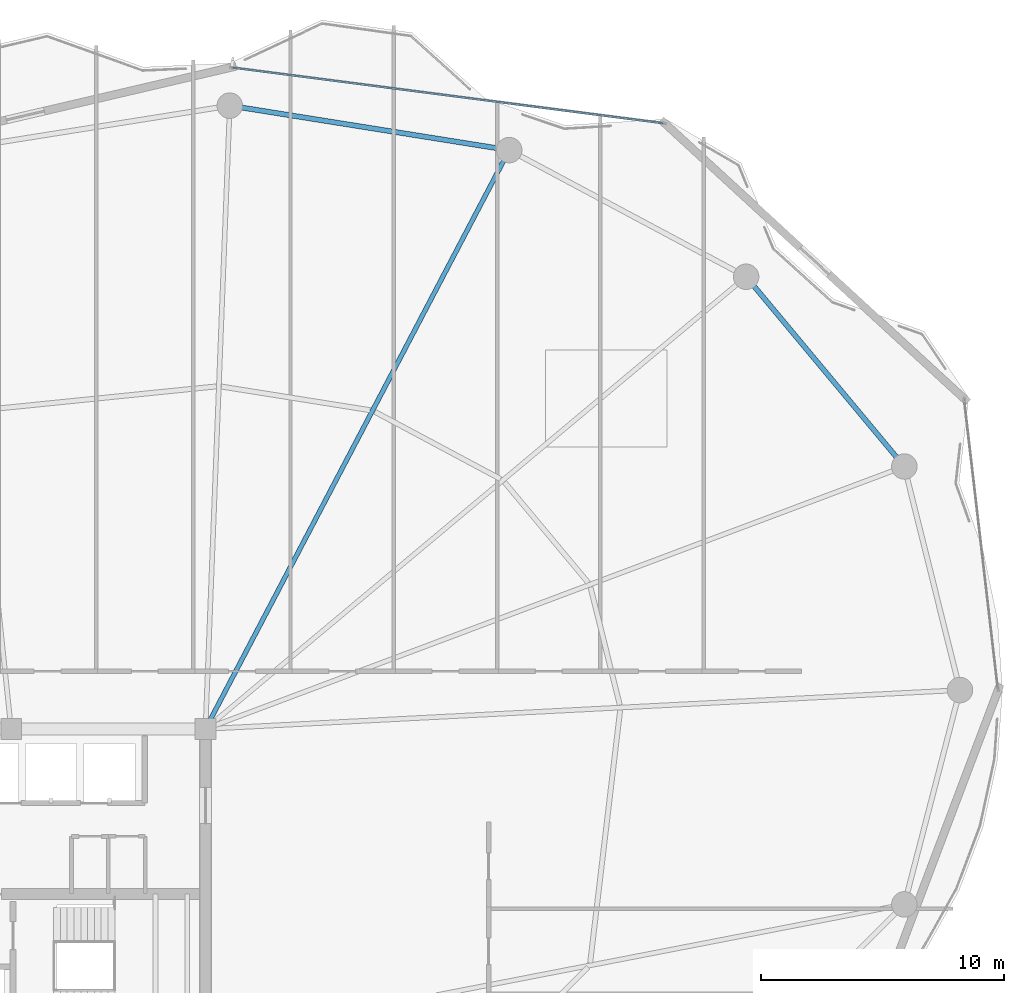
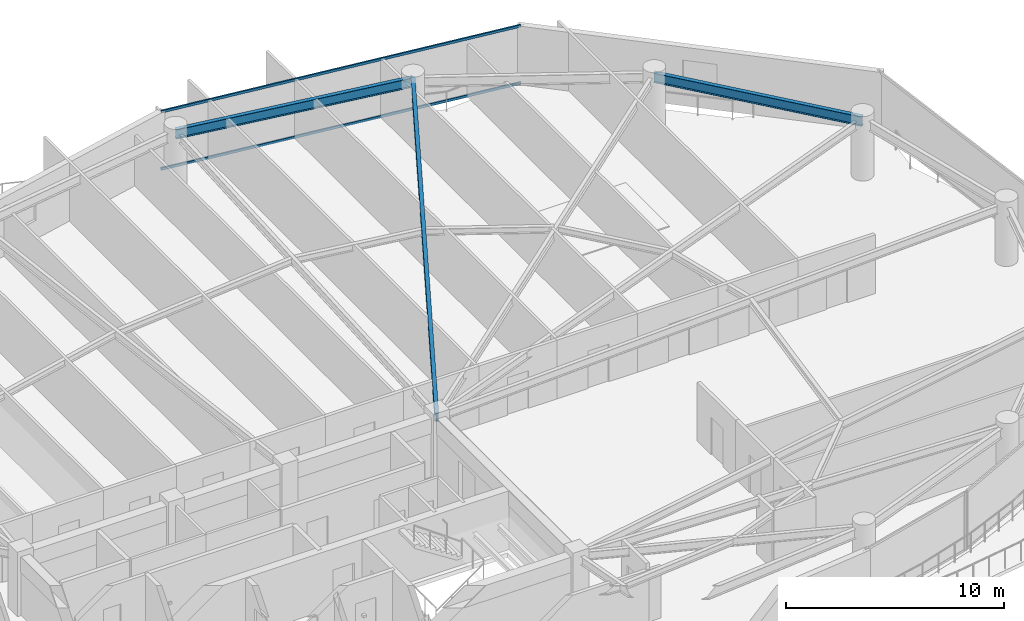
# One storey, part 21 of 31: 3 beams, 2 members, 1 element without a shape of its own.
"""IFC4 building model written with IfcOpenShell, lengths in metres."""

from ifc_helpers import new_model, si_unit, direction, frame, origin, origin_2d, place, context, subcontext, project, spatial, hollow_rectangle, i_section, extrude, material, layer, layer_set, material_profile, profile_set, type_object, element, aggregate, save


model = new_model("IFC4")

# Units and contexts
model_context = context("Model", 3, precision=1e-05, world=origin(), true_north=direction((0.0, 1.0)))
body_context = subcontext(model_context, "Body", "Model", "MODEL_VIEW")
ifc_project = project(units=[si_unit("LENGTHUNIT", "METRE"), si_unit("AREAUNIT", "SQUARE_METRE"), si_unit("VOLUMEUNIT", "CUBIC_METRE"), si_unit("PLANEANGLEUNIT", "RADIAN"), si_unit("MASSUNIT", "GRAM", prefix="KILO")], contexts=[model_context])

# Site, building, storey
site_placement = place(None, origin())
site = spatial("IfcSite", under=ifc_project, at=site_placement, CompositionType="ELEMENT")
building_placement = place(site_placement, origin())
building = spatial("IfcBuilding", under=site, at=building_placement, Name="Kazevale Care Tower and Concert Hall", CompositionType="ELEMENT")
storey_placement = place(building_placement, frame((0.0, 0.0, 187.199951171875)))
storey = spatial("IfcBuildingStorey", under=building, at=storey_placement, Name="L49", CompositionType="ELEMENT", Elevation=187.199951171875)

# Curtain wall, members
ifc_material_1 = material(Name="Aluminium 6063-T6 and Low-E Glass", Category="aluminium")
ifc_layer = layer(ifc_material_1, 0.179931640625)
ifc_layer_set = layer_set([ifc_layer], Name="Aluminium 6063-T6 and Low-E Glass")
curtain_wall_type = type_object("IfcCurtainWallType", Name="Waist & Upper Residential Curtain Wall CW-4", PredefinedType="NOTDEFINED", material=ifc_layer_set)
curtain_wall_placement = place(storey_placement, origin())
curtain_wall = element("IfcCurtainWall", 1, at=curtain_wall_placement, inside=storey, type_object=curtain_wall_type, Name="cw:L49:f16", PredefinedType="NOTDEFINED")
ifc_material_2 = material(Name="Aluminium 6063-T6", Category="aluminium")
ifc_material_profile_1 = material_profile(ifc_material_2, hollow_rectangle(XDim=0.080078125, YDim=0.139892578125, WallThickness=0.00390625, at=origin_2d()), Name="ALU80x140x4")
ifc_profile_set_1 = profile_set([ifc_material_profile_1], Name="Aluminium 6063-T6")
member_type = type_object("IfcMemberType", Name="CW-4 Transom ALU80x140x4", PredefinedType="USERDEFINED", material=ifc_profile_set_1)
member_1_placement = place(storey_placement, frame((45.123291015625, 63.61181640625, 0.0400390625), z_axis=(0.991760953967, -0.128102342625, 0.0), x_axis=(0.128102342625, 0.991760953967, 0.0)))
member_1 = element("IfcMember", 2, at=member_1_placement, type_object=member_type, Name="CW-4 transom 1.1", ObjectType="TRANSOM", PredefinedType="USERDEFINED", context=body_context, shape_type="SweptSolid", body=[
    extrude(hollow_rectangle(XDim=0.080078125, YDim=0.139892578125, WallThickness=0.00390625, at=origin_2d()), origin(), (0.0, 0.0, 1.0), 17.857666015625),
])
member_2_placement = place(storey_placement, frame((45.123291015625, 63.61181640625, 3.239990234375), z_axis=(0.991760953967, -0.128102342625, 0.0), x_axis=(0.128102342625, 0.991760953967, 0.0)))
member_2 = element("IfcMember", 3, at=member_2_placement, type_object=member_type, Name="CW-4 transom 1.2", ObjectType="TRANSOM", PredefinedType="USERDEFINED", context=body_context, shape_type="SweptSolid", body=[
    extrude(hollow_rectangle(XDim=0.080078125, YDim=0.139892578125, WallThickness=0.00390625, at=origin_2d()), origin(), (0.0, 0.0, 1.0), 17.857666015625),
])
aggregate(curtain_wall, [member_1, member_2])

# Beams
ifc_material_3 = material(Name="Steel ASTM A572 Gr 50", Category="steel")
ifc_material_profile_2 = material_profile(ifc_material_3, i_section(OverallWidth=0.19091796875, OverallDepth=0.4599609375, WebThickness=0.010009765625, FlangeThickness=0.01611328125, at=origin_2d()), Name="W460x82")
ifc_profile_set_2 = profile_set([ifc_material_profile_2], Name="Steel ASTM A572 Gr 50")
beam_type_1 = type_object("IfcBeamType", Name="Radial Floor Beam W460x82", PredefinedType="BEAM", material=ifc_profile_set_2)
beam_1_placement = place(storey_placement, frame((44.0, 36.39990234375, 3.050048828125), z_axis=(0.464672566396, 0.885482583702, 0.0), x_axis=(-0.885482583702, 0.464672566396, 0.0)))
element("IfcBeam", 4, at=beam_1_placement, inside=storey, type_object=beam_type_1, Name="beam:L49:rad:04", PredefinedType="BEAM", context=body_context, shape_type="SweptSolid", body=[
    extrude(i_section(OverallWidth=0.19091796875, OverallDepth=0.4599609375, WebThickness=0.010009765625, FlangeThickness=0.01611328125, at=origin_2d()), origin(), (0.0, 0.0, 1.0), 26.900634765625),
])
ifc_material_profile_3 = material_profile(ifc_material_3, i_section(OverallWidth=0.208984375, OverallDepth=0.532958984375, WebThickness=0.01025390625, FlangeThickness=0.015625, at=origin_2d()), Name="W530x92")
ifc_profile_set_3 = profile_set([ifc_material_profile_3], Name="Steel ASTM A572 Gr 50")
beam_type_2 = type_object("IfcBeamType", Name="Upper Ring Beam W530x92", PredefinedType="BEAM", material=ifc_profile_set_3)
beam_2_placement = place(storey_placement, frame((72.760009765625, 47.199951171875, 3.013427734375), z_axis=(-0.640278868102, 0.768142546056, 0.0), x_axis=(-0.768142546056, -0.640278868102, 0.0)))
element("IfcBeam", 5, at=beam_2_placement, inside=storey, type_object=beam_type_2, Name="beam:L49:ring:02", PredefinedType="BEAM", context=body_context, shape_type="SweptSolid", body=[
    extrude(i_section(OverallWidth=0.208984375, OverallDepth=0.532958984375, WebThickness=0.01025390625, FlangeThickness=0.015625, at=origin_2d()), origin(), (0.0, 0.0, 1.0), 10.16748046875),
])
beam_3_placement = place(storey_placement, frame((56.5, 60.219970703125, 3.013427734375), z_axis=(-0.987573207584, 0.15715966296, 0.0), x_axis=(-0.15715966296, -0.987573207584, 0.0)))
element("IfcBeam", 6, at=beam_3_placement, inside=storey, type_object=beam_type_2, Name="beam:L49:ring:04", PredefinedType="BEAM", context=body_context, shape_type="SweptSolid", body=[
    extrude(i_section(OverallWidth=0.208984375, OverallDepth=0.532958984375, WebThickness=0.01025390625, FlangeThickness=0.015625, at=origin_2d()), origin(), (0.0, 0.0, 1.0), 11.644775390625),
])

save(model, "model.ifc")
